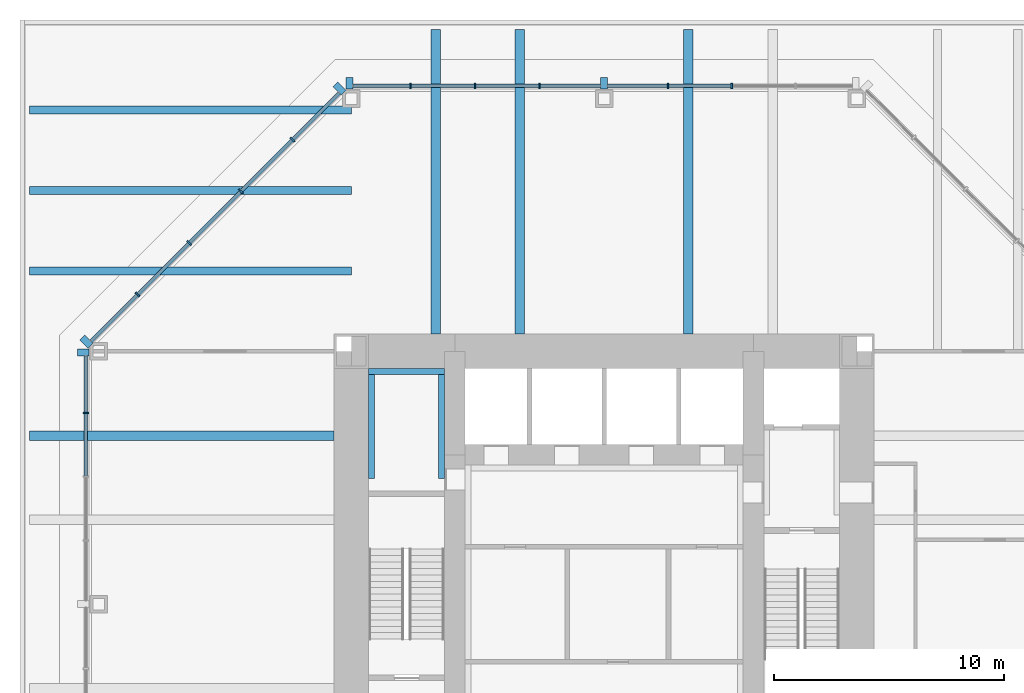
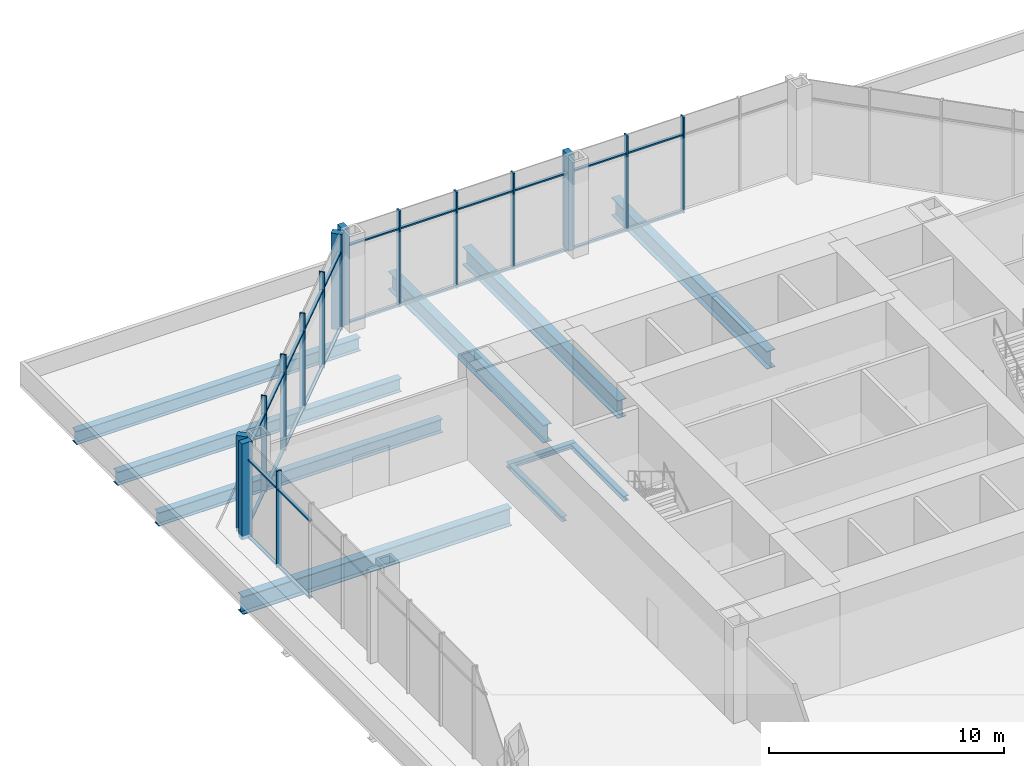
# One storey, part 4 of 11: 41 members, 10 beams, 3 elements without a shape of their own.
"""IFC4 building model written with IfcOpenShell, lengths in metres."""

from ifc_helpers import new_model, si_unit, direction, frame, origin, origin_2d, place, context, subcontext, project, spatial, rectangle, i_section, extrude, material, material_profile, profile_set, type_object, element, aggregate, save


model = new_model("IFC4")

# Units and contexts
model_context = context("Model", 3, precision=1e-05, world=origin(), true_north=direction((0.0, 1.0)))
body_context = subcontext(model_context, "Body", "Model", "MODEL_VIEW")
ifc_project = project(units=[si_unit("LENGTHUNIT", "METRE"), si_unit("AREAUNIT", "SQUARE_METRE"), si_unit("VOLUMEUNIT", "CUBIC_METRE"), si_unit("PLANEANGLEUNIT", "RADIAN"), si_unit("MASSUNIT", "GRAM", prefix="KILO")], contexts=[model_context])

# Site, building, storey
site_placement = place(None, origin())
site = spatial("IfcSite", under=ifc_project, at=site_placement, CompositionType="ELEMENT")
building_placement = place(site_placement, origin())
building = spatial("IfcBuilding", under=site, at=building_placement, Name="Trevanion Tower", CompositionType="ELEMENT")
storey_placement = place(building_placement, frame((0.0, 0.0, 95.800048828125)))
storey = spatial("IfcBuildingStorey", under=building, at=storey_placement, Name="L22", CompositionType="ELEMENT", Elevation=95.800048828125)

# Beams
ifc_material_1 = material(Name="Steel ASTM A992 Grade 50", Category="steel")
ifc_material_profile_1 = material_profile(ifc_material_1, i_section(OverallWidth=0.419189453125, OverallDepth=0.927001953125, WebThickness=0.019287109375, FlangeThickness=0.031982421875, at=origin_2d()), Name="W36X231")
ifc_profile_set_1 = profile_set([ifc_material_profile_1], Name="Steel ASTM A992 Grade 50")
beam_type_1 = type_object("IfcBeamType", Name="B5 W36X231", PredefinedType="BEAM", material=ifc_profile_set_1)
for number, where, z_axis, x_axis, name in (
    (1, (3.666748046875, 11.75, -0.653564453125), (0.0, 1.0, 0.0), (-1.0, 0.0, 0.0), "B5 L22"),
    (2, (-3.666748046875, 11.75, -0.653564453125), (0.0, 1.0, 0.0), (-1.0, 0.0, 0.0), "B5 L22"),
    (3, (-7.333251953125, 11.75, -0.653564453125), (0.0, 1.0, 0.0), (-1.0, 0.0, 0.0), "B5 L22"),
    (4, (-11.75, 7.333251953125, -0.653564453125), (-1.0, 0.0, 0.0), (0.0, -1.0, 0.0), "B5 L22"),
):
    element("IfcBeam", number, at=place(storey_placement, frame(where, z_axis=z_axis, x_axis=x_axis)), inside=storey, type_object=beam_type_1, Name=name, PredefinedType="BEAM", context=body_context, shape_type="SweptSolid", body=[
        extrude(i_section(OverallWidth=0.419189453125, OverallDepth=0.927001953125, WebThickness=0.019287109375, FlangeThickness=0.031982421875, at=origin_2d()), origin(), (0.0, 0.0, 1.0), 13.25),
    ])
ifc_material_2 = material(Name="Steel ASTM A992 Grade 50", Category="steel")
ifc_material_profile_2 = material_profile(ifc_material_2, i_section(OverallWidth=0.355712890625, OverallDepth=0.696044921875, WebThickness=0.015380859375, FlangeThickness=0.024658203125, at=origin_2d()), Name="W27X146")
ifc_profile_set_2 = profile_set([ifc_material_profile_2], Name="Steel ASTM A992 Grade 50")
beam_type_2 = type_object("IfcBeamType", Name="B6 W27X146", PredefinedType="BEAM", material=ifc_profile_set_2)
for number, where, z_axis, x_axis, name in (
    (5, (-11.0, 14.5, -0.5380859375), (-1.0, 0.0, 0.0), (0.0, -1.0, 0.0), "B6 L22"),
    (6, (-11.0, 18.0, -0.5380859375), (-1.0, 0.0, 0.0), (0.0, -1.0, 0.0), "B6 L22"),
    (7, (-11.0, 21.5, -0.5380859375), (-1.0, 0.0, 0.0), (0.0, -1.0, 0.0), "B6 L22"),
):
    element("IfcBeam", number, at=place(storey_placement, frame(where, z_axis=z_axis, x_axis=x_axis)), inside=storey, type_object=beam_type_2, Name=name, PredefinedType="BEAM", context=body_context, shape_type="SweptSolid", body=[
        extrude(i_section(OverallWidth=0.355712890625, OverallDepth=0.696044921875, WebThickness=0.015380859375, FlangeThickness=0.024658203125, at=origin_2d()), origin(), (0.0, 0.0, 1.0), 14.0),
    ])

# Curtain wall, members
ifc_material_3 = material(Name="Aluminium and glass", Category="aluminium")
curtain_wall_type = type_object("IfcCurtainWallType", Name="CW2 curtain wall", PredefinedType="USERDEFINED", material=ifc_material_3)
curtain_wall_1_placement = place(storey_placement, origin())
curtain_wall_1 = element("IfcCurtainWall", 8, at=curtain_wall_1_placement, inside=storey, type_object=curtain_wall_type, Name="CW2 L22 2", ObjectType="UNITISED CURTAIN WALL", PredefinedType="USERDEFINED")
ifc_material_4 = material(Name="Aluminium extrusion, anodised bronze", Category="aluminium")
ifc_material_profile_3 = material_profile(ifc_material_4, rectangle(XDim=0.074951171875, YDim=0.25, at=origin_2d()), Name="CW2 mullion")
ifc_profile_set_3 = profile_set([ifc_material_profile_3], Name="Aluminium extrusion, anodised bronze")
member_type_1 = type_object("IfcMemberType", Name="CW2 mullion", PredefinedType="MULLION", material=ifc_profile_set_3)
member_1_placement = place(storey_placement, frame((5.548828125, 22.550048828125, -0.18994140625), z_axis=(0.0, 0.0, 1.0), x_axis=(-1.0, 0.0, 0.0)))
member_1 = element("IfcMember", 9, at=member_1_placement, type_object=member_type_1, Name="CW2 mullion 3", PredefinedType="MULLION", context=body_context, shape_type="SweptSolid", body=[
    extrude(rectangle(XDim=0.074951171875, YDim=0.25, at=origin_2d()), origin(), (0.0, 0.0, 1.0), 5.0),
])
member_2_placement = place(storey_placement, frame((2.7744140625, 22.550048828125, -0.18994140625), z_axis=(0.0, 0.0, 1.0), x_axis=(-1.0, 0.0, 0.0)))
member_2 = element("IfcMember", 10, at=member_2_placement, type_object=member_type_1, Name="CW2 mullion 4", PredefinedType="MULLION", context=body_context, shape_type="SweptSolid", body=[
    extrude(rectangle(XDim=0.074951171875, YDim=0.25, at=origin_2d()), origin(), (0.0, 0.0, 1.0), 5.0),
])
member_3_placement = place(storey_placement, frame((-2.806884765625, 22.550048828125, -0.18994140625), z_axis=(0.0, 0.0, 1.0), x_axis=(-1.0, 0.0, 0.0)))
member_3 = element("IfcMember", 11, at=member_3_placement, type_object=member_type_1, Name="CW2 mullion 6", PredefinedType="MULLION", context=body_context, shape_type="SweptSolid", body=[
    extrude(rectangle(XDim=0.074951171875, YDim=0.25, at=origin_2d()), origin(), (0.0, 0.0, 1.0), 5.0),
])
member_4_placement = place(storey_placement, frame((-5.614013671875, 22.550048828125, -0.18994140625), z_axis=(0.0, 0.0, 1.0), x_axis=(-1.0, 0.0, 0.0)))
member_4 = element("IfcMember", 12, at=member_4_placement, type_object=member_type_1, Name="CW2 mullion 7", PredefinedType="MULLION", context=body_context, shape_type="SweptSolid", body=[
    extrude(rectangle(XDim=0.074951171875, YDim=0.25, at=origin_2d()), origin(), (0.0, 0.0, 1.0), 5.0),
])
member_5_placement = place(storey_placement, frame((-8.4208984375, 22.550048828125, -0.18994140625), z_axis=(0.0, 0.0, 1.0), x_axis=(-1.0, 0.0, 0.0)))
member_5 = element("IfcMember", 13, at=member_5_placement, type_object=member_type_1, Name="CW2 mullion 8", PredefinedType="MULLION", context=body_context, shape_type="SweptSolid", body=[
    extrude(rectangle(XDim=0.074951171875, YDim=0.25, at=origin_2d()), origin(), (0.0, 0.0, 1.0), 5.0),
])

curtain_wall_2_placement = place(storey_placement, origin())
curtain_wall_2 = element("IfcCurtainWall", 14, at=curtain_wall_2_placement, inside=storey, type_object=curtain_wall_type, Name="CW2 L22 3", ObjectType="UNITISED CURTAIN WALL", PredefinedType="USERDEFINED")
member_6_placement = place(storey_placement, frame((-13.56591796875, 20.2119140625, -0.18994140625), z_axis=(0.0, 0.0, 1.0), x_axis=(-0.707106781187, -0.707106781187, 0.0)))
member_6 = element("IfcMember", 15, at=member_6_placement, type_object=member_type_1, Name="CW2 mullion 2", PredefinedType="MULLION", context=body_context, shape_type="SweptSolid", body=[
    extrude(rectangle(XDim=0.074951171875, YDim=0.25, at=origin_2d()), origin(), (0.0, 0.0, 1.0), 5.0),
])
member_7_placement = place(storey_placement, frame((-15.811767578125, 17.966064453125, -0.18994140625), z_axis=(0.0, 0.0, 1.0), x_axis=(-0.707106781187, -0.707106781187, 0.0)))
member_7 = element("IfcMember", 16, at=member_7_placement, type_object=member_type_1, Name="CW2 mullion 3", PredefinedType="MULLION", context=body_context, shape_type="SweptSolid", body=[
    extrude(rectangle(XDim=0.074951171875, YDim=0.25, at=origin_2d()), origin(), (0.0, 0.0, 1.0), 5.0),
])
member_8_placement = place(storey_placement, frame((-18.057861328125, 15.719970703125, -0.18994140625), z_axis=(0.0, 0.0, 1.0), x_axis=(-0.707106781187, -0.707106781187, 0.0)))
member_8 = element("IfcMember", 17, at=member_8_placement, type_object=member_type_1, Name="CW2 mullion 4", PredefinedType="MULLION", context=body_context, shape_type="SweptSolid", body=[
    extrude(rectangle(XDim=0.074951171875, YDim=0.25, at=origin_2d()), origin(), (0.0, 0.0, 1.0), 5.0),
])
member_9_placement = place(storey_placement, frame((-20.303955078125, 13.473876953125, -0.18994140625), z_axis=(0.0, 0.0, 1.0), x_axis=(-0.707106781187, -0.707106781187, 0.0)))
member_9 = element("IfcMember", 18, at=member_9_placement, type_object=member_type_1, Name="CW2 mullion 5", PredefinedType="MULLION", context=body_context, shape_type="SweptSolid", body=[
    extrude(rectangle(XDim=0.074951171875, YDim=0.25, at=origin_2d()), origin(), (0.0, 0.0, 1.0), 5.0),
])

# Curtain wall, member
curtain_wall_3_placement = place(storey_placement, origin())
curtain_wall_3 = element("IfcCurtainWall", 19, at=curtain_wall_3_placement, inside=storey, type_object=curtain_wall_type, Name="CW2 L22 4", ObjectType="UNITISED CURTAIN WALL", PredefinedType="USERDEFINED")
member_10_placement = place(storey_placement, frame((-22.550048828125, 8.323486328125, -0.18994140625), z_axis=(0.0, 0.0, 1.0), x_axis=(0.0, -1.0, 0.0)))
member_10 = element("IfcMember", 20, at=member_10_placement, type_object=member_type_1, Name="CW2 mullion 2", PredefinedType="MULLION", context=body_context, shape_type="SweptSolid", body=[
    extrude(rectangle(XDim=0.074951171875, YDim=0.25, at=origin_2d()), origin(), (0.0, 0.0, 1.0), 5.0),
])

# Member
ifc_material_5 = material(Name="Aluminium extrusion, anodised bronze", Category="aluminium")
ifc_material_profile_4 = material_profile(ifc_material_5, rectangle(XDim=0.300048828125, YDim=0.5, at=origin_2d()), Name="CW2 pier mullion")
ifc_profile_set_4 = profile_set([ifc_material_profile_4], Name="Aluminium extrusion, anodised bronze")
member_type_2 = type_object("IfcMemberType", Name="CW2 pier mullion", PredefinedType="MULLION", material=ifc_profile_set_4)
member_11_placement = place(storey_placement, frame((0.0, 22.675048828125, -0.18994140625), z_axis=(0.0, 0.0, 1.0), x_axis=(-1.0, 0.0, 0.0)))
member_11 = element("IfcMember", 21, at=member_11_placement, type_object=member_type_2, Name="CW2 pier mullion 5", PredefinedType="MULLION", context=body_context, shape_type="SweptSolid", body=[
    extrude(rectangle(XDim=0.300048828125, YDim=0.5, at=origin_2d()), origin(), (0.0, 0.0, 1.0), 5.0),
])

member_12_placement = place(storey_placement, frame((-11.077880859375, 22.675048828125, -0.18994140625), z_axis=(0.0, 0.0, 1.0), x_axis=(-1.0, 0.0, 0.0)))
member_12 = element("IfcMember", 22, at=member_12_placement, type_object=member_type_2, Name="CW2 pier mullion 9", PredefinedType="MULLION", context=body_context, shape_type="SweptSolid", body=[
    extrude(rectangle(XDim=0.300048828125, YDim=0.5, at=origin_2d()), origin(), (0.0, 0.0, 1.0), 5.0),
])

member_13_placement = place(storey_placement, frame((-11.51416015625, 22.4404296875, -0.18994140625), z_axis=(0.0, 0.0, 1.0), x_axis=(-0.707106781187, -0.707106781187, 0.0)))
member_13 = element("IfcMember", 23, at=member_13_placement, type_object=member_type_2, Name="CW2 pier mullion 1", PredefinedType="MULLION", context=body_context, shape_type="SweptSolid", body=[
    extrude(rectangle(XDim=0.300048828125, YDim=0.5, at=origin_2d()), origin(), (0.0, 0.0, 1.0), 5.0),
])

member_14_placement = place(storey_placement, frame((-22.5322265625, 11.42236328125, -0.18994140625), z_axis=(0.0, 0.0, 1.0), x_axis=(-0.707106781187, -0.707106781187, 0.0)))
member_14 = element("IfcMember", 24, at=member_14_placement, type_object=member_type_2, Name="CW2 pier mullion 6", PredefinedType="MULLION", context=body_context, shape_type="SweptSolid", body=[
    extrude(rectangle(XDim=0.300048828125, YDim=0.5, at=origin_2d()), origin(), (0.0, 0.0, 1.0), 5.0),
])

member_15_placement = place(storey_placement, frame((-22.675048828125, 10.94775390625, -0.18994140625), z_axis=(0.0, 0.0, 1.0), x_axis=(0.0, -1.0, 0.0)))
member_15 = element("IfcMember", 25, at=member_15_placement, type_object=member_type_2, Name="CW2 pier mullion 1", PredefinedType="MULLION", context=body_context, shape_type="SweptSolid", body=[
    extrude(rectangle(XDim=0.300048828125, YDim=0.5, at=origin_2d()), origin(), (0.0, 0.0, 1.0), 5.0),
])

ifc_material_6 = material(Name="Aluminium extrusion, anodised bronze", Category="aluminium")
ifc_material_profile_5 = material_profile(ifc_material_6, rectangle(XDim=0.14990234375, YDim=0.074951171875, at=origin_2d()), Name="CW2 transom")
ifc_profile_set_5 = profile_set([ifc_material_profile_5], Name="Aluminium extrusion, anodised bronze")
member_type_3 = type_object("IfcMemberType", Name="CW2 transom", PredefinedType="USERDEFINED", material=ifc_profile_set_5)
member_16_placement = place(storey_placement, frame((5.511474609375, 22.550048828125, -0.152587890625), z_axis=(-1.0, 0.0, 0.0), x_axis=(0.0, -1.0, 0.0)))
member_16 = element("IfcMember", 26, at=member_16_placement, type_object=member_type_3, Name="CW2 transom 3.1", ObjectType="TRANSOM", PredefinedType="USERDEFINED", context=body_context, shape_type="SweptSolid", body=[
    extrude(rectangle(XDim=0.14990234375, YDim=0.074951171875, at=origin_2d()), origin(), (0.0, 0.0, 1.0), 2.699462890625),
])

member_17_placement = place(storey_placement, frame((5.511474609375, 22.550048828125, 3.85986328125), z_axis=(-1.0, 0.0, 0.0), x_axis=(0.0, -1.0, 0.0)))
member_17 = element("IfcMember", 27, at=member_17_placement, type_object=member_type_3, Name="CW2 transom 3.2", ObjectType="TRANSOM", PredefinedType="USERDEFINED", context=body_context, shape_type="SweptSolid", body=[
    extrude(rectangle(XDim=0.14990234375, YDim=0.074951171875, at=origin_2d()), origin(), (0.0, 0.0, 1.0), 2.699462890625),
])

member_18_placement = place(storey_placement, frame((2.737060546875, 22.550048828125, -0.152587890625), z_axis=(-1.0, 0.0, 0.0), x_axis=(0.0, -1.0, 0.0)))
member_18 = element("IfcMember", 28, at=member_18_placement, type_object=member_type_3, Name="CW2 transom 4.1", ObjectType="TRANSOM", PredefinedType="USERDEFINED", context=body_context, shape_type="SweptSolid", body=[
    extrude(rectangle(XDim=0.14990234375, YDim=0.074951171875, at=origin_2d()), origin(), (0.0, 0.0, 1.0), 2.587158203125),
])

member_19_placement = place(storey_placement, frame((2.737060546875, 22.550048828125, 3.85986328125), z_axis=(-1.0, 0.0, 0.0), x_axis=(0.0, -1.0, 0.0)))
member_19 = element("IfcMember", 29, at=member_19_placement, type_object=member_type_3, Name="CW2 transom 4.2", ObjectType="TRANSOM", PredefinedType="USERDEFINED", context=body_context, shape_type="SweptSolid", body=[
    extrude(rectangle(XDim=0.14990234375, YDim=0.074951171875, at=origin_2d()), origin(), (0.0, 0.0, 1.0), 2.587158203125),
])

member_20_placement = place(storey_placement, frame((-0.14990234375, 22.550048828125, -0.152587890625), z_axis=(-1.0, 0.0, 0.0), x_axis=(0.0, -1.0, 0.0)))
member_20 = element("IfcMember", 30, at=member_20_placement, type_object=member_type_3, Name="CW2 transom 5.1", ObjectType="TRANSOM", PredefinedType="USERDEFINED", context=body_context, shape_type="SweptSolid", body=[
    extrude(rectangle(XDim=0.14990234375, YDim=0.074951171875, at=origin_2d()), origin(), (0.0, 0.0, 1.0), 2.619384765625),
])

member_21_placement = place(storey_placement, frame((-0.14990234375, 22.550048828125, 3.85986328125), z_axis=(-1.0, 0.0, 0.0), x_axis=(0.0, -1.0, 0.0)))
member_21 = element("IfcMember", 31, at=member_21_placement, type_object=member_type_3, Name="CW2 transom 5.2", ObjectType="TRANSOM", PredefinedType="USERDEFINED", context=body_context, shape_type="SweptSolid", body=[
    extrude(rectangle(XDim=0.14990234375, YDim=0.074951171875, at=origin_2d()), origin(), (0.0, 0.0, 1.0), 2.619384765625),
])

member_22_placement = place(storey_placement, frame((-2.844482421875, 22.550048828125, -0.152587890625), z_axis=(-1.0, 0.0, 0.0), x_axis=(0.0, -1.0, 0.0)))
member_22 = element("IfcMember", 32, at=member_22_placement, type_object=member_type_3, Name="CW2 transom 6.1", ObjectType="TRANSOM", PredefinedType="USERDEFINED", context=body_context, shape_type="SweptSolid", body=[
    extrude(rectangle(XDim=0.14990234375, YDim=0.074951171875, at=origin_2d()), origin(), (0.0, 0.0, 1.0), 2.73193359375),
])

member_23_placement = place(storey_placement, frame((-2.844482421875, 22.550048828125, 3.85986328125), z_axis=(-1.0, 0.0, 0.0), x_axis=(0.0, -1.0, 0.0)))
member_23 = element("IfcMember", 33, at=member_23_placement, type_object=member_type_3, Name="CW2 transom 6.2", ObjectType="TRANSOM", PredefinedType="USERDEFINED", context=body_context, shape_type="SweptSolid", body=[
    extrude(rectangle(XDim=0.14990234375, YDim=0.074951171875, at=origin_2d()), origin(), (0.0, 0.0, 1.0), 2.73193359375),
])

member_24_placement = place(storey_placement, frame((-5.6513671875, 22.550048828125, -0.152587890625), z_axis=(-1.0, 0.0, 0.0), x_axis=(0.0, -1.0, 0.0)))
member_24 = element("IfcMember", 34, at=member_24_placement, type_object=member_type_3, Name="CW2 transom 7.1", ObjectType="TRANSOM", PredefinedType="USERDEFINED", context=body_context, shape_type="SweptSolid", body=[
    extrude(rectangle(XDim=0.14990234375, YDim=0.074951171875, at=origin_2d()), origin(), (0.0, 0.0, 1.0), 2.73193359375),
])

member_25_placement = place(storey_placement, frame((-5.6513671875, 22.550048828125, 3.85986328125), z_axis=(-1.0, 0.0, 0.0), x_axis=(0.0, -1.0, 0.0)))
member_25 = element("IfcMember", 35, at=member_25_placement, type_object=member_type_3, Name="CW2 transom 7.2", ObjectType="TRANSOM", PredefinedType="USERDEFINED", context=body_context, shape_type="SweptSolid", body=[
    extrude(rectangle(XDim=0.14990234375, YDim=0.074951171875, at=origin_2d()), origin(), (0.0, 0.0, 1.0), 2.73193359375),
])

member_26_placement = place(storey_placement, frame((-8.45849609375, 22.550048828125, -0.152587890625), z_axis=(-1.0, 0.0, 0.0), x_axis=(0.0, -1.0, 0.0)))
member_26 = element("IfcMember", 36, at=member_26_placement, type_object=member_type_3, Name="CW2 transom 8.1", ObjectType="TRANSOM", PredefinedType="USERDEFINED", context=body_context, shape_type="SweptSolid", body=[
    extrude(rectangle(XDim=0.14990234375, YDim=0.074951171875, at=origin_2d()), origin(), (0.0, 0.0, 1.0), 2.46923828125),
])

member_27_placement = place(storey_placement, frame((-8.45849609375, 22.550048828125, 3.85986328125), z_axis=(-1.0, 0.0, 0.0), x_axis=(0.0, -1.0, 0.0)))
member_27 = element("IfcMember", 37, at=member_27_placement, type_object=member_type_3, Name="CW2 transom 8.2", ObjectType="TRANSOM", PredefinedType="USERDEFINED", context=body_context, shape_type="SweptSolid", body=[
    extrude(rectangle(XDim=0.14990234375, YDim=0.074951171875, at=origin_2d()), origin(), (0.0, 0.0, 1.0), 2.46923828125),
])

aggregate(curtain_wall_1, [member_1, member_2, member_11, member_3, member_4, member_5, member_12, member_16, member_17, member_18, member_19, member_20, member_21, member_22, member_23, member_24, member_25, member_26, member_27])

member_28_placement = place(storey_placement, frame((-11.531982421875, 22.245849609375, -0.152587890625), z_axis=(-0.707106781187, -0.707106781187, 0.0), x_axis=(0.707106781187, -0.707106781187, 0.0)))
member_28 = element("IfcMember", 38, at=member_28_placement, type_object=member_type_3, Name="CW2 transom 1.1", ObjectType="TRANSOM", PredefinedType="USERDEFINED", context=body_context, shape_type="SweptSolid", body=[
    extrude(rectangle(XDim=0.14990234375, YDim=0.074951171875, at=origin_2d()), origin(), (0.0, 0.0, 1.0), 2.8388671875),
])

member_29_placement = place(storey_placement, frame((-11.531982421875, 22.245849609375, 3.85986328125), z_axis=(-0.707106781187, -0.707106781187, 0.0), x_axis=(0.707106781187, -0.707106781187, 0.0)))
member_29 = element("IfcMember", 39, at=member_29_placement, type_object=member_type_3, Name="CW2 transom 1.2", ObjectType="TRANSOM", PredefinedType="USERDEFINED", context=body_context, shape_type="SweptSolid", body=[
    extrude(rectangle(XDim=0.14990234375, YDim=0.074951171875, at=origin_2d()), origin(), (0.0, 0.0, 1.0), 2.8388671875),
])

member_30_placement = place(storey_placement, frame((-13.59228515625, 20.185546875, -0.152587890625), z_axis=(-0.707106781187, -0.707106781187, 0.0), x_axis=(0.707106781187, -0.707106781187, 0.0)))
member_30 = element("IfcMember", 40, at=member_30_placement, type_object=member_type_3, Name="CW2 transom 2.1", ObjectType="TRANSOM", PredefinedType="USERDEFINED", context=body_context, shape_type="SweptSolid", body=[
    extrude(rectangle(XDim=0.14990234375, YDim=0.074951171875, at=origin_2d()), origin(), (0.0, 0.0, 1.0), 3.1015625),
])

member_31_placement = place(storey_placement, frame((-13.59228515625, 20.185546875, 3.85986328125), z_axis=(-0.707106781187, -0.707106781187, 0.0), x_axis=(0.707106781187, -0.707106781187, 0.0)))
member_31 = element("IfcMember", 41, at=member_31_placement, type_object=member_type_3, Name="CW2 transom 2.2", ObjectType="TRANSOM", PredefinedType="USERDEFINED", context=body_context, shape_type="SweptSolid", body=[
    extrude(rectangle(XDim=0.14990234375, YDim=0.074951171875, at=origin_2d()), origin(), (0.0, 0.0, 1.0), 3.1015625),
])

member_32_placement = place(storey_placement, frame((-15.83837890625, 17.939453125, -0.152587890625), z_axis=(-0.707106781187, -0.707106781187, 0.0), x_axis=(0.707106781187, -0.707106781187, 0.0)))
member_32 = element("IfcMember", 42, at=member_32_placement, type_object=member_type_3, Name="CW2 transom 3.1", ObjectType="TRANSOM", PredefinedType="USERDEFINED", context=body_context, shape_type="SweptSolid", body=[
    extrude(rectangle(XDim=0.14990234375, YDim=0.074951171875, at=origin_2d()), origin(), (0.0, 0.0, 1.0), 3.1015625),
])

member_33_placement = place(storey_placement, frame((-15.83837890625, 17.939453125, 3.85986328125), z_axis=(-0.707106781187, -0.707106781187, 0.0), x_axis=(0.707106781187, -0.707106781187, 0.0)))
member_33 = element("IfcMember", 43, at=member_33_placement, type_object=member_type_3, Name="CW2 transom 3.2", ObjectType="TRANSOM", PredefinedType="USERDEFINED", context=body_context, shape_type="SweptSolid", body=[
    extrude(rectangle(XDim=0.14990234375, YDim=0.074951171875, at=origin_2d()), origin(), (0.0, 0.0, 1.0), 3.1015625),
])

member_34_placement = place(storey_placement, frame((-18.08447265625, 15.693359375, -0.152587890625), z_axis=(-0.707106781187, -0.707106781187, 0.0), x_axis=(0.707106781187, -0.707106781187, 0.0)))
member_34 = element("IfcMember", 44, at=member_34_placement, type_object=member_type_3, Name="CW2 transom 4.1", ObjectType="TRANSOM", PredefinedType="USERDEFINED", context=body_context, shape_type="SweptSolid", body=[
    extrude(rectangle(XDim=0.14990234375, YDim=0.074951171875, at=origin_2d()), origin(), (0.0, 0.0, 1.0), 3.10107421875),
])

member_35_placement = place(storey_placement, frame((-18.08447265625, 15.693359375, 3.85986328125), z_axis=(-0.707106781187, -0.707106781187, 0.0), x_axis=(0.707106781187, -0.707106781187, 0.0)))
member_35 = element("IfcMember", 45, at=member_35_placement, type_object=member_type_3, Name="CW2 transom 4.2", ObjectType="TRANSOM", PredefinedType="USERDEFINED", context=body_context, shape_type="SweptSolid", body=[
    extrude(rectangle(XDim=0.14990234375, YDim=0.074951171875, at=origin_2d()), origin(), (0.0, 0.0, 1.0), 3.10107421875),
])

member_36_placement = place(storey_placement, frame((-20.33056640625, 13.447509765625, -0.152587890625), z_axis=(-0.707063781595, -0.707149778163, 0.0), x_axis=(0.707149778163, -0.707063781595, 0.0)))
member_36 = element("IfcMember", 46, at=member_36_placement, type_object=member_type_3, Name="CW2 transom 5.1", ObjectType="TRANSOM", PredefinedType="USERDEFINED", context=body_context, shape_type="SweptSolid", body=[
    extrude(rectangle(XDim=0.14990234375, YDim=0.074951171875, at=origin_2d()), origin(), (0.0, 0.0, 1.0), 2.8388671875),
])

member_37_placement = place(storey_placement, frame((-20.33056640625, 13.447509765625, 3.85986328125), z_axis=(-0.707063781595, -0.707149778163, 0.0), x_axis=(0.707149778163, -0.707063781595, 0.0)))
member_37 = element("IfcMember", 47, at=member_37_placement, type_object=member_type_3, Name="CW2 transom 5.2", ObjectType="TRANSOM", PredefinedType="USERDEFINED", context=body_context, shape_type="SweptSolid", body=[
    extrude(rectangle(XDim=0.14990234375, YDim=0.074951171875, at=origin_2d()), origin(), (0.0, 0.0, 1.0), 2.8388671875),
])

aggregate(curtain_wall_2, [member_13, member_6, member_7, member_8, member_9, member_14, member_28, member_29, member_30, member_31, member_32, member_33, member_34, member_35, member_36, member_37])

member_38_placement = place(storey_placement, frame((-22.550048828125, 10.7978515625, -0.152587890625), z_axis=(0.0, -1.0, 0.0), x_axis=(1.0, 0.0, 0.0)))
member_38 = element("IfcMember", 48, at=member_38_placement, type_object=member_type_3, Name="CW2 transom 1.1", ObjectType="TRANSOM", PredefinedType="USERDEFINED", context=body_context, shape_type="SweptSolid", body=[
    extrude(rectangle(XDim=0.14990234375, YDim=0.074951171875, at=origin_2d()), origin(), (0.0, 0.0, 1.0), 2.43701171875),
])

member_39_placement = place(storey_placement, frame((-22.550048828125, 10.7978515625, 3.85986328125), z_axis=(0.0, -1.0, 0.0), x_axis=(1.0, 0.0, 0.0)))
member_39 = element("IfcMember", 49, at=member_39_placement, type_object=member_type_3, Name="CW2 transom 1.2", ObjectType="TRANSOM", PredefinedType="USERDEFINED", context=body_context, shape_type="SweptSolid", body=[
    extrude(rectangle(XDim=0.14990234375, YDim=0.074951171875, at=origin_2d()), origin(), (0.0, 0.0, 1.0), 2.43701171875),
])

member_40_placement = place(storey_placement, frame((-22.550048828125, 8.285888671875, -0.152587890625), z_axis=(0.0, -1.0, 0.0), x_axis=(1.0, 0.0, 0.0)))
member_40 = element("IfcMember", 50, at=member_40_placement, type_object=member_type_3, Name="CW2 transom 2.1", ObjectType="TRANSOM", PredefinedType="USERDEFINED", context=body_context, shape_type="SweptSolid", body=[
    extrude(rectangle(XDim=0.14990234375, YDim=0.074951171875, at=origin_2d()), origin(), (0.0, 0.0, 1.0), 2.699462890625),
])

member_41_placement = place(storey_placement, frame((-22.550048828125, 8.285888671875, 3.85986328125), z_axis=(0.0, -1.0, 0.0), x_axis=(1.0, 0.0, 0.0)))
member_41 = element("IfcMember", 51, at=member_41_placement, type_object=member_type_3, Name="CW2 transom 2.2", ObjectType="TRANSOM", PredefinedType="USERDEFINED", context=body_context, shape_type="SweptSolid", body=[
    extrude(rectangle(XDim=0.14990234375, YDim=0.074951171875, at=origin_2d()), origin(), (0.0, 0.0, 1.0), 2.699462890625),
])

aggregate(curtain_wall_3, [member_15, member_10, member_38, member_39, member_40, member_41])

# Beams
ifc_material_7 = material(Name="Steel ASTM A992 Grade 50", Category="steel")
ifc_material_profile_6 = material_profile(ifc_material_7, i_section(OverallWidth=0.256591796875, OverallDepth=0.26416015625, WebThickness=0.011962890625, FlangeThickness=0.01953125, at=origin_2d()), Name="W10X68")
ifc_profile_set_6 = profile_set([ifc_material_profile_6], Name="Steel ASTM A992 Grade 50")
beam_type_3 = type_object("IfcBeamType", Name="LB1 W10X68", PredefinedType="BEAM", material=ifc_profile_set_6)
for number, where, z_axis, x_axis, name in (
    (52, (-10.12158203125, 5.47509765625, -0.33203125), (0.0, 1.0, 0.0), (-1.0, 0.0, 0.0), "LB1 L22"),
    (53, (-7.078369140625, 5.47509765625, -0.33203125), (0.0, 1.0, 0.0), (-1.0, 0.0, 0.0), "LB1 L22"),
):
    element("IfcBeam", number, at=place(storey_placement, frame(where, z_axis=z_axis, x_axis=x_axis)), inside=storey, type_object=beam_type_3, Name=name, PredefinedType="BEAM", context=body_context, shape_type="SweptSolid", body=[
        extrude(i_section(OverallWidth=0.256591796875, OverallDepth=0.26416015625, WebThickness=0.011962890625, FlangeThickness=0.01953125, at=origin_2d()), origin(), (0.0, 0.0, 1.0), 4.77490234375),
    ])
beam_placement = place(storey_placement, frame((-10.25, 10.12158203125, -0.33203125), z_axis=(1.0, 0.0, 0.0), x_axis=(0.0, 1.0, 0.0)))
element("IfcBeam", 54, at=beam_placement, inside=storey, type_object=beam_type_3, Name="LB1 L22", PredefinedType="BEAM", context=body_context, shape_type="SweptSolid", body=[
    extrude(i_section(OverallWidth=0.256591796875, OverallDepth=0.26416015625, WebThickness=0.011962890625, FlangeThickness=0.01953125, at=origin_2d()), origin(), (0.0, 0.0, 1.0), 3.300048828125),
])

save(model, "model.ifc")
